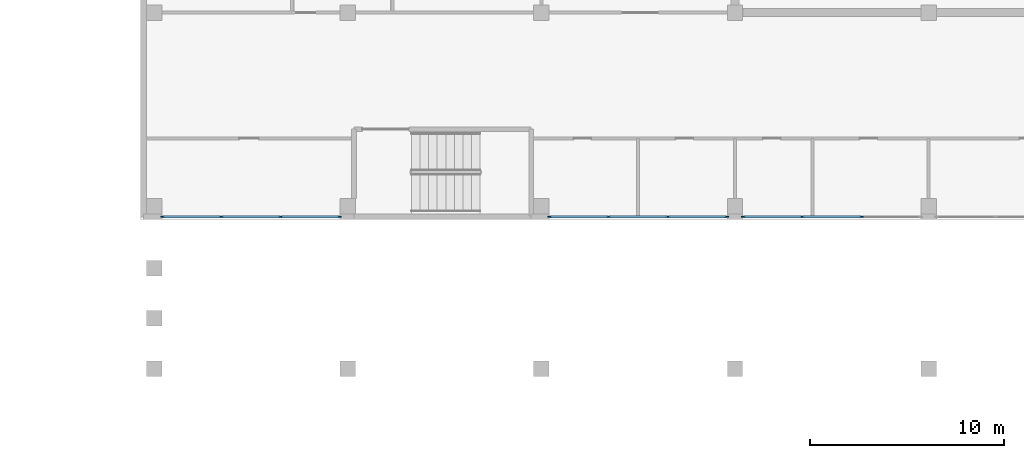
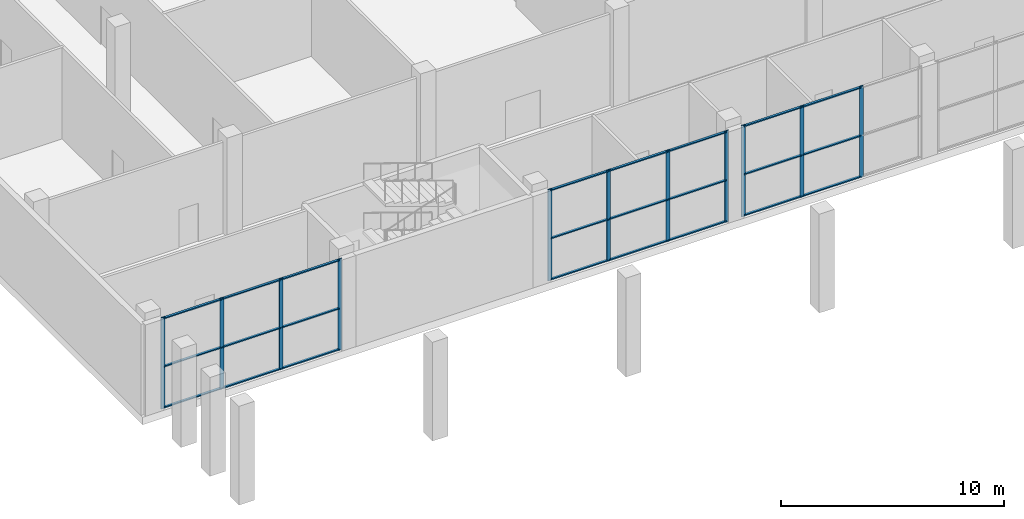
# One storey, part 2 of 35: 35 members, 3 elements without a shape of their own.
"""IFC4 building model written with IfcOpenShell, lengths in metres."""

import ifcopenshell
import ifcopenshell.guid

model = None  # the IFC model being written
_history = None  # IfcOwnerHistory: only IFC2X3 demands one
_inside = {}  # id of a spatial element -> (the spatial element, [elements in it])
_under = {}  # id of a project, library or spatial element -> (it, [spatial elements below it])
_declared = {}  # id of a project -> (the project, [libraries it declares])
_typed = {}  # id of a type object -> (the type object, [elements of that type])
_made_of = {}  # id of a material, layer set ... -> (it, [elements and type objects made of it])


def new_model(schema):
    """Start an empty IFC model of exactly this schema.

    Asked for "IFC4X3", IfcOpenShell would pick the latest addendum, in which some entities
    have other attributes; the version numbers below select the first issue.
    IFC2X3 requires an IfcOwnerHistory on every rooted entity: one is made here for all.
    """
    global model, _history
    if schema == "IFC4X3":
        model = ifcopenshell.file(schema_version=(4, 3, 0, 0))
    else:
        model = ifcopenshell.file(schema=schema)
    _inside.clear()
    _under.clear()
    _declared.clear()
    _typed.clear()
    _made_of.clear()
    _history = None
    if model.schema == "IFC2X3":
        org = make("IfcOrganization", Name="unknown")
        user = make(
            "IfcPersonAndOrganization",
            ThePerson=make("IfcPerson", FamilyName="unknown"),
            TheOrganization=org,
        )
        app = make(
            "IfcApplication",
            ApplicationDeveloper=org,
            Version="unknown",
            ApplicationFullName="unknown",
            ApplicationIdentifier="unknown",
        )
        _history = make(
            "IfcOwnerHistory",
            OwningUser=user,
            OwningApplication=app,
            ChangeAction="ADDED",
            CreationDate=0,
        )
    return model


def make(cls, **values):
    """One entity of the class cls with the attributes given. An attribute that is None is left unset."""
    return model.create_entity(
        cls, **{name: value for name, value in values.items() if value is not None}
    )


def rooted(cls, **values):
    """An entity with a GlobalId (a new one), such as an element, a storey or a relation."""
    return make(cls, GlobalId=ifcopenshell.guid.new(), OwnerHistory=_history, **values)


def si_unit(unit_type, name, prefix=None):
    """IfcSIUnit, for example si_unit("LENGTHUNIT", "METRE", prefix="MILLI")."""
    return make("IfcSIUnit", UnitType=unit_type, Prefix=prefix, Name=name)


def assignment(units):
    """IfcUnitAssignment: the units of a project."""
    return None if units is None else make("IfcUnitAssignment", Units=units)


def point(xyz):
    """IfcCartesianPoint."""
    return None if xyz is None else make("IfcCartesianPoint", Coordinates=xyz)


def direction(xyz):
    """IfcDirection."""
    return None if xyz is None else make("IfcDirection", DirectionRatios=xyz)


def frame(location, z_axis=None, x_axis=None):
    """IfcAxis2Placement3D, a coordinate frame: its origin and axes. An axis left out is left unset."""
    return make(
        "IfcAxis2Placement3D",
        Location=point(location),
        Axis=direction(z_axis),
        RefDirection=direction(x_axis),
    )


def frame_2d(location, x_axis=None):
    """IfcAxis2Placement2D, a coordinate frame in the plane: its origin and x axis."""
    return make(
        "IfcAxis2Placement2D", Location=point(location), RefDirection=direction(x_axis)
    )


def origin():
    """The frame at (0, 0, 0) with its axes left unset."""
    return frame((0.0, 0.0, 0.0))


def origin_2d():
    """The frame at (0, 0) in the plane with its x axis left unset."""
    return frame_2d((0.0, 0.0))


def place(relative_to, where):
    """IfcLocalPlacement: puts the frame where relative to a parent placement (None: the world)."""
    return make(
        "IfcLocalPlacement", PlacementRelTo=relative_to, RelativePlacement=where
    )


def context(
    kind, dimensions, precision=None, world=None, true_north=None, identifier=None
):
    """IfcGeometricRepresentationContext, for example the 3D "Model" context."""
    return make(
        "IfcGeometricRepresentationContext",
        ContextIdentifier=identifier,
        ContextType=kind,
        CoordinateSpaceDimension=dimensions,
        Precision=precision,
        WorldCoordinateSystem=world,
        TrueNorth=true_north,
    )


def subcontext(parent, identifier, kind, view, scale=None):
    """IfcGeometricRepresentationSubContext, for example "Body" below "Model"."""
    return make(
        "IfcGeometricRepresentationSubContext",
        ContextIdentifier=identifier,
        ContextType=kind,
        ParentContext=parent,
        TargetScale=scale,
        TargetView=view,
    )


def project(units=None, contexts=None):
    """IfcProject with its units and contexts."""
    return rooted(
        "IfcProject",
        Name="project",
        RepresentationContexts=contexts,
        UnitsInContext=assignment(units),
    )


def spatial(cls, under=None, at=None, **own):
    """A site, building, storey or space (cls), placed at a placement, below another one or the project."""
    s = rooted(cls, ObjectPlacement=at, **own)
    if under is not None:
        _under.setdefault(under.id(), (under, []))[1].append(s)
    return s


def profile(cls, at=None, kind="AREA", **sizes):
    """A parametric profile (cls). Its sizes go by their IFC names, for example OverallWidth=200.0."""
    return make(cls, ProfileType=kind, Position=at, **sizes)


def rectangle(**sizes):
    """IfcRectangleProfileDef."""
    return profile("IfcRectangleProfileDef", **sizes)


def extrude(swept, where, along, depth):
    """IfcExtrudedAreaSolid: the profile swept, set in the frame where, extruded along a direction by depth."""
    return make(
        "IfcExtrudedAreaSolid",
        SweptArea=swept,
        Position=where,
        ExtrudedDirection=direction(along),
        Depth=depth,
    )


def shape(context_of_items, identifier, shape_type, items):
    """IfcShapeRepresentation: the items that make up one representation, for example the "Body"."""
    return make(
        "IfcShapeRepresentation",
        ContextOfItems=context_of_items,
        RepresentationIdentifier=identifier,
        RepresentationType=shape_type,
        Items=items,
    )


def material(Name=None, Category=None):
    """IfcMaterial."""
    return make("IfcMaterial", Name=Name, Category=Category)


def material_profile(
    of_material, cross_section, Name=None, Category=None, Priority=None
):
    """IfcMaterialProfile: a cross section and its material."""
    return make(
        "IfcMaterialProfile",
        Name=Name,
        Material=of_material,
        Profile=cross_section,
        Priority=Priority,
        Category=Category,
    )


def profile_set(profiles, Name=None, composite=None):
    """IfcMaterialProfileSet."""
    return make(
        "IfcMaterialProfileSet",
        Name=Name,
        MaterialProfiles=profiles,
        CompositeProfile=composite,
    )


def made_of(thing, what):
    """Note that an element or type object is made of a material, layer set ...; save() writes the relation."""
    if what is not None:
        _made_of.setdefault(what.id(), (what, []))[1].append(thing)
    return thing


def type_object(cls, material=None, **own):
    """A type object (cls), such as IfcWallType, which elements share."""
    return made_of(rooted(cls, **own), material)


def element(
    cls,
    number,
    at=None,
    inside=None,
    cuts=None,
    type_object=None,
    material=None,
    context=None,
    identifier="Body",
    shape_type=None,
    held_by="IfcProductDefinitionShape",
    body=None,
    shapes=None,
    **own,
):
    """One element of the class cls, such as IfcWall. Its Tag is "e" and its number.

    at: its placement. inside: the storey or other place that contains it. cuts: it is an
    opening in that element (IfcRelVoidsElement). A single representation is given by context,
    identifier, shape_type and body (its items); several are given by shapes. held_by: the class
    of the entity that holds the representations. save() writes the other relations.
    """
    e = rooted(cls, Tag="e%d" % number, ObjectPlacement=at, **own)
    if body is not None:
        shapes = [shape(context, identifier, shape_type, body)]
    if shapes is not None:
        e.Representation = make(held_by, Representations=shapes)
    if inside is not None:
        _inside.setdefault(inside.id(), (inside, []))[1].append(e)
    if cuts is not None:
        rooted(
            "IfcRelVoidsElement", RelatingBuildingElement=cuts, RelatedOpeningElement=e
        )
    if type_object is not None:
        _typed.setdefault(type_object.id(), (type_object, []))[1].append(e)
    return made_of(e, material)


def aggregate(whole, parts):
    """IfcRelAggregates: a whole, such as a stair, and the parts it consists of."""
    return rooted("IfcRelAggregates", RelatingObject=whole, RelatedObjects=parts)


def save(model, path):
    """Write the relations noted so far, then the file.

    IfcRelAggregates (storeys below a building ...), IfcRelContainedInSpatialStructure (elements
    in a storey), IfcRelDefinesByType, IfcRelAssociatesMaterial and IfcRelDeclares: one each for
    every whole, place, type object, material and project.
    """
    for whole, parts in _under.values():
        aggregate(whole, parts)
    for where, things in _inside.values():
        rooted(
            "IfcRelContainedInSpatialStructure",
            RelatedElements=things,
            RelatingStructure=where,
        )
    for kind, things in _typed.values():
        rooted("IfcRelDefinesByType", RelatedObjects=things, RelatingType=kind)
    for what, things in _made_of.values():
        rooted("IfcRelAssociatesMaterial", RelatedObjects=things, RelatingMaterial=what)
    for by, libraries in _declared.values():
        rooted("IfcRelDeclares", RelatingContext=by, RelatedDefinitions=libraries)
    model.write(path)


model = new_model("IFC4")

# Units and contexts
model_context = context("Model", 3, precision=1e-05, world=origin(), true_north=direction((0.0, 1.0)))
body_context = subcontext(model_context, "Body", "Model", "MODEL_VIEW")
ifc_project = project(units=[si_unit("LENGTHUNIT", "METRE"), si_unit("AREAUNIT", "SQUARE_METRE"), si_unit("VOLUMEUNIT", "CUBIC_METRE"), si_unit("PLANEANGLEUNIT", "RADIAN"), si_unit("MASSUNIT", "GRAM", prefix="KILO")], contexts=[model_context])

# Site, building, storey
site_placement = place(None, origin())
site = spatial("IfcSite", under=ifc_project, at=site_placement, CompositionType="ELEMENT")
building_placement = place(site_placement, origin())
building = spatial("IfcBuilding", under=site, at=building_placement, Name="Jabali Bay Hotel Tower and Convention Centre", CompositionType="ELEMENT")
storey_placement = place(building_placement, frame((0.0, 0.0, 15.0)))
storey = spatial("IfcBuildingStorey", under=building, at=storey_placement, Name="L02", CompositionType="ELEMENT", Elevation=15.0)

# Curtain wall, members
ifc_material_1 = material(Name="Aluminium 6063-T5 and glass", Category="aluminium")
curtain_wall_type = type_object("IfcCurtainWallType", Name="CC CW5 Unitised Curtain Wall", PredefinedType="NOTDEFINED", material=ifc_material_1)
curtain_wall_1_placement = place(storey_placement, origin())
curtain_wall_1 = element("IfcCurtainWall", 1, at=curtain_wall_1_placement, inside=storey, type_object=curtain_wall_type, Name="CC CW5 run 1", PredefinedType="NOTDEFINED")
ifc_material_2 = material(Name="Aluminium 6063-T5", Category="aluminium")
ifc_material_profile_1 = material_profile(ifc_material_2, rectangle(XDim=0.06005859375, YDim=0.199951171875, at=origin_2d()), Name="AL 60x200")
ifc_profile_set_1 = profile_set([ifc_material_profile_1], Name="Aluminium 6063-T5")
member_type_1 = type_object("IfcMemberType", Name="CC Curtain Wall Mullion 60x200", PredefinedType="MULLION", material=ifc_profile_set_1)
member_1_placement = place(storey_placement, frame((151.1298828125, 49.449951171875, 0.0), z_axis=(0.0, 0.0, 1.0), x_axis=(0.0, 1.0, 0.0)))
member_1 = element("IfcMember", 2, at=member_1_placement, type_object=member_type_1, Name="CC-CW5 mullion 1", PredefinedType="MULLION", context=body_context, shape_type="SweptSolid", body=[
    extrude(rectangle(XDim=0.06005859375, YDim=0.199951171875, at=origin_2d()), origin(), (0.0, 0.0, 1.0), 4.989990234375),
])
member_2_placement = place(storey_placement, frame((154.166748046875, 49.449951171875, 0.0), z_axis=(0.0, 0.0, 1.0), x_axis=(0.0, 1.0, 0.0)))
member_2 = element("IfcMember", 3, at=member_2_placement, type_object=member_type_1, Name="CC-CW5 mullion 2", PredefinedType="MULLION", context=body_context, shape_type="SweptSolid", body=[
    extrude(rectangle(XDim=0.06005859375, YDim=0.199951171875, at=origin_2d()), origin(), (0.0, 0.0, 1.0), 4.989990234375),
])
member_3_placement = place(storey_placement, frame((157.2333984375, 49.449951171875, 0.0), z_axis=(0.0, 0.0, 1.0), x_axis=(0.0, 1.0, 0.0)))
member_3 = element("IfcMember", 4, at=member_3_placement, type_object=member_type_1, Name="CC-CW5 mullion 3", PredefinedType="MULLION", context=body_context, shape_type="SweptSolid", body=[
    extrude(rectangle(XDim=0.06005859375, YDim=0.199951171875, at=origin_2d()), origin(), (0.0, 0.0, 1.0), 4.989990234375),
])
member_4_placement = place(storey_placement, frame((160.27001953125, 49.449951171875, 0.0), z_axis=(0.0, 0.0, 1.0), x_axis=(0.0, 1.0, 0.0)))
member_4 = element("IfcMember", 5, at=member_4_placement, type_object=member_type_1, Name="CC-CW5 mullion 4", PredefinedType="MULLION", context=body_context, shape_type="SweptSolid", body=[
    extrude(rectangle(XDim=0.06005859375, YDim=0.199951171875, at=origin_2d()), origin(), (0.0, 0.0, 1.0), 4.989990234375),
])

curtain_wall_2_placement = place(storey_placement, origin())
curtain_wall_2 = element("IfcCurtainWall", 6, at=curtain_wall_2_placement, inside=storey, type_object=curtain_wall_type, Name="CC CW5 run 2", PredefinedType="NOTDEFINED")
member_5_placement = place(storey_placement, frame((171.1298828125, 49.449951171875, 0.0), z_axis=(0.0, 0.0, 1.0), x_axis=(0.0, 1.0, 0.0)))
member_5 = element("IfcMember", 7, at=member_5_placement, type_object=member_type_1, Name="CC-CW5 mullion 1", PredefinedType="MULLION", context=body_context, shape_type="SweptSolid", body=[
    extrude(rectangle(XDim=0.06005859375, YDim=0.199951171875, at=origin_2d()), origin(), (0.0, 0.0, 1.0), 4.989990234375),
])
member_6_placement = place(storey_placement, frame((174.166748046875, 49.449951171875, 0.0), z_axis=(0.0, 0.0, 1.0), x_axis=(0.0, 1.0, 0.0)))
member_6 = element("IfcMember", 8, at=member_6_placement, type_object=member_type_1, Name="CC-CW5 mullion 2", PredefinedType="MULLION", context=body_context, shape_type="SweptSolid", body=[
    extrude(rectangle(XDim=0.06005859375, YDim=0.199951171875, at=origin_2d()), origin(), (0.0, 0.0, 1.0), 4.989990234375),
])
member_7_placement = place(storey_placement, frame((177.2333984375, 49.449951171875, 0.0), z_axis=(0.0, 0.0, 1.0), x_axis=(0.0, 1.0, 0.0)))
member_7 = element("IfcMember", 9, at=member_7_placement, type_object=member_type_1, Name="CC-CW5 mullion 3", PredefinedType="MULLION", context=body_context, shape_type="SweptSolid", body=[
    extrude(rectangle(XDim=0.06005859375, YDim=0.199951171875, at=origin_2d()), origin(), (0.0, 0.0, 1.0), 4.989990234375),
])
member_8_placement = place(storey_placement, frame((180.27001953125, 49.449951171875, 0.0), z_axis=(0.0, 0.0, 1.0), x_axis=(0.0, 1.0, 0.0)))
member_8 = element("IfcMember", 10, at=member_8_placement, type_object=member_type_1, Name="CC-CW5 mullion 4", PredefinedType="MULLION", context=body_context, shape_type="SweptSolid", body=[
    extrude(rectangle(XDim=0.06005859375, YDim=0.199951171875, at=origin_2d()), origin(), (0.0, 0.0, 1.0), 4.989990234375),
])

curtain_wall_3_placement = place(storey_placement, origin())
curtain_wall_3 = element("IfcCurtainWall", 11, at=curtain_wall_3_placement, inside=storey, type_object=curtain_wall_type, Name="CC CW5 run 3", PredefinedType="NOTDEFINED")
member_9_placement = place(storey_placement, frame((181.1298828125, 49.449951171875, 0.0), z_axis=(0.0, 0.0, 1.0), x_axis=(0.0, 1.0, 0.0)))
member_9 = element("IfcMember", 12, at=member_9_placement, type_object=member_type_1, Name="CC-CW5 mullion 1", PredefinedType="MULLION", context=body_context, shape_type="SweptSolid", body=[
    extrude(rectangle(XDim=0.06005859375, YDim=0.199951171875, at=origin_2d()), origin(), (0.0, 0.0, 1.0), 4.989990234375),
])
member_10_placement = place(storey_placement, frame((184.166748046875, 49.449951171875, 0.0), z_axis=(0.0, 0.0, 1.0), x_axis=(0.0, 1.0, 0.0)))
member_10 = element("IfcMember", 13, at=member_10_placement, type_object=member_type_1, Name="CC-CW5 mullion 2", PredefinedType="MULLION", context=body_context, shape_type="SweptSolid", body=[
    extrude(rectangle(XDim=0.06005859375, YDim=0.199951171875, at=origin_2d()), origin(), (0.0, 0.0, 1.0), 4.989990234375),
])
member_11_placement = place(storey_placement, frame((187.2333984375, 49.449951171875, 0.0), z_axis=(0.0, 0.0, 1.0), x_axis=(0.0, 1.0, 0.0)))
member_11 = element("IfcMember", 14, at=member_11_placement, type_object=member_type_1, Name="CC-CW5 mullion 3", PredefinedType="MULLION", context=body_context, shape_type="SweptSolid", body=[
    extrude(rectangle(XDim=0.06005859375, YDim=0.199951171875, at=origin_2d()), origin(), (0.0, 0.0, 1.0), 4.989990234375),
])

# Member
ifc_material_profile_2 = material_profile(ifc_material_2, rectangle(XDim=0.1201171875, YDim=0.06005859375, at=origin_2d()), Name="AL 120x60")
ifc_profile_set_2 = profile_set([ifc_material_profile_2], Name="Aluminium 6063-T5")
member_type_2 = type_object("IfcMemberType", Name="CC Curtain Wall Transom 60x120", PredefinedType="USERDEFINED", material=ifc_profile_set_2)
member_12_placement = place(storey_placement, frame((151.159912109375, 49.449951171875, 0.06005859375), z_axis=(1.0, 0.0, 0.0), x_axis=(0.0, 1.0, 0.0)))
member_12 = element("IfcMember", 15, at=member_12_placement, type_object=member_type_2, Name="CC-CW5 transom 1.1", ObjectType="TRANSOM", PredefinedType="USERDEFINED", context=body_context, shape_type="SweptSolid", body=[
    extrude(rectangle(XDim=0.1201171875, YDim=0.06005859375, at=origin_2d()), origin(), (0.0, 0.0, 1.0), 2.976806640625),
])

member_13_placement = place(storey_placement, frame((151.159912109375, 49.449951171875, 2.300048828125), z_axis=(1.0, 0.0, 0.0), x_axis=(0.0, 1.0, 0.0)))
member_13 = element("IfcMember", 16, at=member_13_placement, type_object=member_type_2, Name="CC-CW5 transom 1.2", ObjectType="TRANSOM", PredefinedType="USERDEFINED", context=body_context, shape_type="SweptSolid", body=[
    extrude(rectangle(XDim=0.1201171875, YDim=0.06005859375, at=origin_2d()), origin(), (0.0, 0.0, 1.0), 2.976806640625),
])

member_14_placement = place(storey_placement, frame((151.159912109375, 49.449951171875, 4.929931640625), z_axis=(1.0, 0.0, 0.0), x_axis=(0.0, 1.0, 0.0)))
member_14 = element("IfcMember", 17, at=member_14_placement, type_object=member_type_2, Name="CC-CW5 transom 1.3", ObjectType="TRANSOM", PredefinedType="USERDEFINED", context=body_context, shape_type="SweptSolid", body=[
    extrude(rectangle(XDim=0.1201171875, YDim=0.06005859375, at=origin_2d()), origin(), (0.0, 0.0, 1.0), 2.976806640625),
])

member_15_placement = place(storey_placement, frame((154.19677734375, 49.449951171875, 0.06005859375), z_axis=(1.0, 0.0, 0.0), x_axis=(0.0, 1.0, 0.0)))
member_15 = element("IfcMember", 18, at=member_15_placement, type_object=member_type_2, Name="CC-CW5 transom 2.1", ObjectType="TRANSOM", PredefinedType="USERDEFINED", context=body_context, shape_type="SweptSolid", body=[
    extrude(rectangle(XDim=0.1201171875, YDim=0.06005859375, at=origin_2d()), origin(), (0.0, 0.0, 1.0), 3.006591796875),
])

member_16_placement = place(storey_placement, frame((154.19677734375, 49.449951171875, 2.300048828125), z_axis=(1.0, 0.0, 0.0), x_axis=(0.0, 1.0, 0.0)))
member_16 = element("IfcMember", 19, at=member_16_placement, type_object=member_type_2, Name="CC-CW5 transom 2.2", ObjectType="TRANSOM", PredefinedType="USERDEFINED", context=body_context, shape_type="SweptSolid", body=[
    extrude(rectangle(XDim=0.1201171875, YDim=0.06005859375, at=origin_2d()), origin(), (0.0, 0.0, 1.0), 3.006591796875),
])

member_17_placement = place(storey_placement, frame((154.19677734375, 49.449951171875, 4.929931640625), z_axis=(1.0, 0.0, 0.0), x_axis=(0.0, 1.0, 0.0)))
member_17 = element("IfcMember", 20, at=member_17_placement, type_object=member_type_2, Name="CC-CW5 transom 2.3", ObjectType="TRANSOM", PredefinedType="USERDEFINED", context=body_context, shape_type="SweptSolid", body=[
    extrude(rectangle(XDim=0.1201171875, YDim=0.06005859375, at=origin_2d()), origin(), (0.0, 0.0, 1.0), 3.006591796875),
])

member_18_placement = place(storey_placement, frame((157.263427734375, 49.449951171875, 0.06005859375), z_axis=(1.0, 0.0, 0.0), x_axis=(0.0, 1.0, 0.0)))
member_18 = element("IfcMember", 21, at=member_18_placement, type_object=member_type_2, Name="CC-CW5 transom 3.1", ObjectType="TRANSOM", PredefinedType="USERDEFINED", context=body_context, shape_type="SweptSolid", body=[
    extrude(rectangle(XDim=0.1201171875, YDim=0.06005859375, at=origin_2d()), origin(), (0.0, 0.0, 1.0), 2.9765625),
])

member_19_placement = place(storey_placement, frame((157.263427734375, 49.449951171875, 2.300048828125), z_axis=(1.0, 0.0, 0.0), x_axis=(0.0, 1.0, 0.0)))
member_19 = element("IfcMember", 22, at=member_19_placement, type_object=member_type_2, Name="CC-CW5 transom 3.2", ObjectType="TRANSOM", PredefinedType="USERDEFINED", context=body_context, shape_type="SweptSolid", body=[
    extrude(rectangle(XDim=0.1201171875, YDim=0.06005859375, at=origin_2d()), origin(), (0.0, 0.0, 1.0), 2.9765625),
])

member_20_placement = place(storey_placement, frame((157.263427734375, 49.449951171875, 4.929931640625), z_axis=(1.0, 0.0, 0.0), x_axis=(0.0, 1.0, 0.0)))
member_20 = element("IfcMember", 23, at=member_20_placement, type_object=member_type_2, Name="CC-CW5 transom 3.3", ObjectType="TRANSOM", PredefinedType="USERDEFINED", context=body_context, shape_type="SweptSolid", body=[
    extrude(rectangle(XDim=0.1201171875, YDim=0.06005859375, at=origin_2d()), origin(), (0.0, 0.0, 1.0), 2.9765625),
])

aggregate(curtain_wall_1, [member_1, member_2, member_3, member_4, member_12, member_13, member_14, member_15, member_16, member_17, member_18, member_19, member_20])

member_21_placement = place(storey_placement, frame((171.159912109375, 49.449951171875, 0.06005859375), z_axis=(1.0, 0.0, 0.0), x_axis=(0.0, 1.0, 0.0)))
member_21 = element("IfcMember", 24, at=member_21_placement, type_object=member_type_2, Name="CC-CW5 transom 1.1", ObjectType="TRANSOM", PredefinedType="USERDEFINED", context=body_context, shape_type="SweptSolid", body=[
    extrude(rectangle(XDim=0.1201171875, YDim=0.06005859375, at=origin_2d()), origin(), (0.0, 0.0, 1.0), 2.976806640625),
])

member_22_placement = place(storey_placement, frame((171.159912109375, 49.449951171875, 2.300048828125), z_axis=(1.0, 0.0, 0.0), x_axis=(0.0, 1.0, 0.0)))
member_22 = element("IfcMember", 25, at=member_22_placement, type_object=member_type_2, Name="CC-CW5 transom 1.2", ObjectType="TRANSOM", PredefinedType="USERDEFINED", context=body_context, shape_type="SweptSolid", body=[
    extrude(rectangle(XDim=0.1201171875, YDim=0.06005859375, at=origin_2d()), origin(), (0.0, 0.0, 1.0), 2.976806640625),
])

member_23_placement = place(storey_placement, frame((171.159912109375, 49.449951171875, 4.929931640625), z_axis=(1.0, 0.0, 0.0), x_axis=(0.0, 1.0, 0.0)))
member_23 = element("IfcMember", 26, at=member_23_placement, type_object=member_type_2, Name="CC-CW5 transom 1.3", ObjectType="TRANSOM", PredefinedType="USERDEFINED", context=body_context, shape_type="SweptSolid", body=[
    extrude(rectangle(XDim=0.1201171875, YDim=0.06005859375, at=origin_2d()), origin(), (0.0, 0.0, 1.0), 2.976806640625),
])

member_24_placement = place(storey_placement, frame((174.19677734375, 49.449951171875, 0.06005859375), z_axis=(1.0, 0.0, 0.0), x_axis=(0.0, 1.0, 0.0)))
member_24 = element("IfcMember", 27, at=member_24_placement, type_object=member_type_2, Name="CC-CW5 transom 2.1", ObjectType="TRANSOM", PredefinedType="USERDEFINED", context=body_context, shape_type="SweptSolid", body=[
    extrude(rectangle(XDim=0.1201171875, YDim=0.06005859375, at=origin_2d()), origin(), (0.0, 0.0, 1.0), 3.006591796875),
])

member_25_placement = place(storey_placement, frame((174.19677734375, 49.449951171875, 2.300048828125), z_axis=(1.0, 0.0, 0.0), x_axis=(0.0, 1.0, 0.0)))
member_25 = element("IfcMember", 28, at=member_25_placement, type_object=member_type_2, Name="CC-CW5 transom 2.2", ObjectType="TRANSOM", PredefinedType="USERDEFINED", context=body_context, shape_type="SweptSolid", body=[
    extrude(rectangle(XDim=0.1201171875, YDim=0.06005859375, at=origin_2d()), origin(), (0.0, 0.0, 1.0), 3.006591796875),
])

member_26_placement = place(storey_placement, frame((174.19677734375, 49.449951171875, 4.929931640625), z_axis=(1.0, 0.0, 0.0), x_axis=(0.0, 1.0, 0.0)))
member_26 = element("IfcMember", 29, at=member_26_placement, type_object=member_type_2, Name="CC-CW5 transom 2.3", ObjectType="TRANSOM", PredefinedType="USERDEFINED", context=body_context, shape_type="SweptSolid", body=[
    extrude(rectangle(XDim=0.1201171875, YDim=0.06005859375, at=origin_2d()), origin(), (0.0, 0.0, 1.0), 3.006591796875),
])

member_27_placement = place(storey_placement, frame((177.263427734375, 49.449951171875, 0.06005859375), z_axis=(1.0, 0.0, 0.0), x_axis=(0.0, 1.0, 0.0)))
member_27 = element("IfcMember", 30, at=member_27_placement, type_object=member_type_2, Name="CC-CW5 transom 3.1", ObjectType="TRANSOM", PredefinedType="USERDEFINED", context=body_context, shape_type="SweptSolid", body=[
    extrude(rectangle(XDim=0.1201171875, YDim=0.06005859375, at=origin_2d()), origin(), (0.0, 0.0, 1.0), 2.9765625),
])

member_28_placement = place(storey_placement, frame((177.263427734375, 49.449951171875, 2.300048828125), z_axis=(1.0, 0.0, 0.0), x_axis=(0.0, 1.0, 0.0)))
member_28 = element("IfcMember", 31, at=member_28_placement, type_object=member_type_2, Name="CC-CW5 transom 3.2", ObjectType="TRANSOM", PredefinedType="USERDEFINED", context=body_context, shape_type="SweptSolid", body=[
    extrude(rectangle(XDim=0.1201171875, YDim=0.06005859375, at=origin_2d()), origin(), (0.0, 0.0, 1.0), 2.9765625),
])

member_29_placement = place(storey_placement, frame((177.263427734375, 49.449951171875, 4.929931640625), z_axis=(1.0, 0.0, 0.0), x_axis=(0.0, 1.0, 0.0)))
member_29 = element("IfcMember", 32, at=member_29_placement, type_object=member_type_2, Name="CC-CW5 transom 3.3", ObjectType="TRANSOM", PredefinedType="USERDEFINED", context=body_context, shape_type="SweptSolid", body=[
    extrude(rectangle(XDim=0.1201171875, YDim=0.06005859375, at=origin_2d()), origin(), (0.0, 0.0, 1.0), 2.9765625),
])

aggregate(curtain_wall_2, [member_5, member_6, member_7, member_8, member_21, member_22, member_23, member_24, member_25, member_26, member_27, member_28, member_29])

member_30_placement = place(storey_placement, frame((181.159912109375, 49.449951171875, 0.06005859375), z_axis=(1.0, 0.0, 0.0), x_axis=(0.0, 1.0, 0.0)))
member_30 = element("IfcMember", 33, at=member_30_placement, type_object=member_type_2, Name="CC-CW5 transom 1.1", ObjectType="TRANSOM", PredefinedType="USERDEFINED", context=body_context, shape_type="SweptSolid", body=[
    extrude(rectangle(XDim=0.1201171875, YDim=0.06005859375, at=origin_2d()), origin(), (0.0, 0.0, 1.0), 2.976806640625),
])

member_31_placement = place(storey_placement, frame((181.159912109375, 49.449951171875, 2.300048828125), z_axis=(1.0, 0.0, 0.0), x_axis=(0.0, 1.0, 0.0)))
member_31 = element("IfcMember", 34, at=member_31_placement, type_object=member_type_2, Name="CC-CW5 transom 1.2", ObjectType="TRANSOM", PredefinedType="USERDEFINED", context=body_context, shape_type="SweptSolid", body=[
    extrude(rectangle(XDim=0.1201171875, YDim=0.06005859375, at=origin_2d()), origin(), (0.0, 0.0, 1.0), 2.976806640625),
])

member_32_placement = place(storey_placement, frame((181.159912109375, 49.449951171875, 4.929931640625), z_axis=(1.0, 0.0, 0.0), x_axis=(0.0, 1.0, 0.0)))
member_32 = element("IfcMember", 35, at=member_32_placement, type_object=member_type_2, Name="CC-CW5 transom 1.3", ObjectType="TRANSOM", PredefinedType="USERDEFINED", context=body_context, shape_type="SweptSolid", body=[
    extrude(rectangle(XDim=0.1201171875, YDim=0.06005859375, at=origin_2d()), origin(), (0.0, 0.0, 1.0), 2.976806640625),
])

member_33_placement = place(storey_placement, frame((184.19677734375, 49.449951171875, 0.06005859375), z_axis=(1.0, 0.0, 0.0), x_axis=(0.0, 1.0, 0.0)))
member_33 = element("IfcMember", 36, at=member_33_placement, type_object=member_type_2, Name="CC-CW5 transom 2.1", ObjectType="TRANSOM", PredefinedType="USERDEFINED", context=body_context, shape_type="SweptSolid", body=[
    extrude(rectangle(XDim=0.1201171875, YDim=0.06005859375, at=origin_2d()), origin(), (0.0, 0.0, 1.0), 3.006591796875),
])

member_34_placement = place(storey_placement, frame((184.19677734375, 49.449951171875, 2.300048828125), z_axis=(1.0, 0.0, 0.0), x_axis=(0.0, 1.0, 0.0)))
member_34 = element("IfcMember", 37, at=member_34_placement, type_object=member_type_2, Name="CC-CW5 transom 2.2", ObjectType="TRANSOM", PredefinedType="USERDEFINED", context=body_context, shape_type="SweptSolid", body=[
    extrude(rectangle(XDim=0.1201171875, YDim=0.06005859375, at=origin_2d()), origin(), (0.0, 0.0, 1.0), 3.006591796875),
])

member_35_placement = place(storey_placement, frame((184.19677734375, 49.449951171875, 4.929931640625), z_axis=(1.0, 0.0, 0.0), x_axis=(0.0, 1.0, 0.0)))
member_35 = element("IfcMember", 38, at=member_35_placement, type_object=member_type_2, Name="CC-CW5 transom 2.3", ObjectType="TRANSOM", PredefinedType="USERDEFINED", context=body_context, shape_type="SweptSolid", body=[
    extrude(rectangle(XDim=0.1201171875, YDim=0.06005859375, at=origin_2d()), origin(), (0.0, 0.0, 1.0), 3.006591796875),
])

aggregate(curtain_wall_3, [member_9, member_10, member_11, member_30, member_31, member_32, member_33, member_34, member_35])

save(model, "model.ifc")
